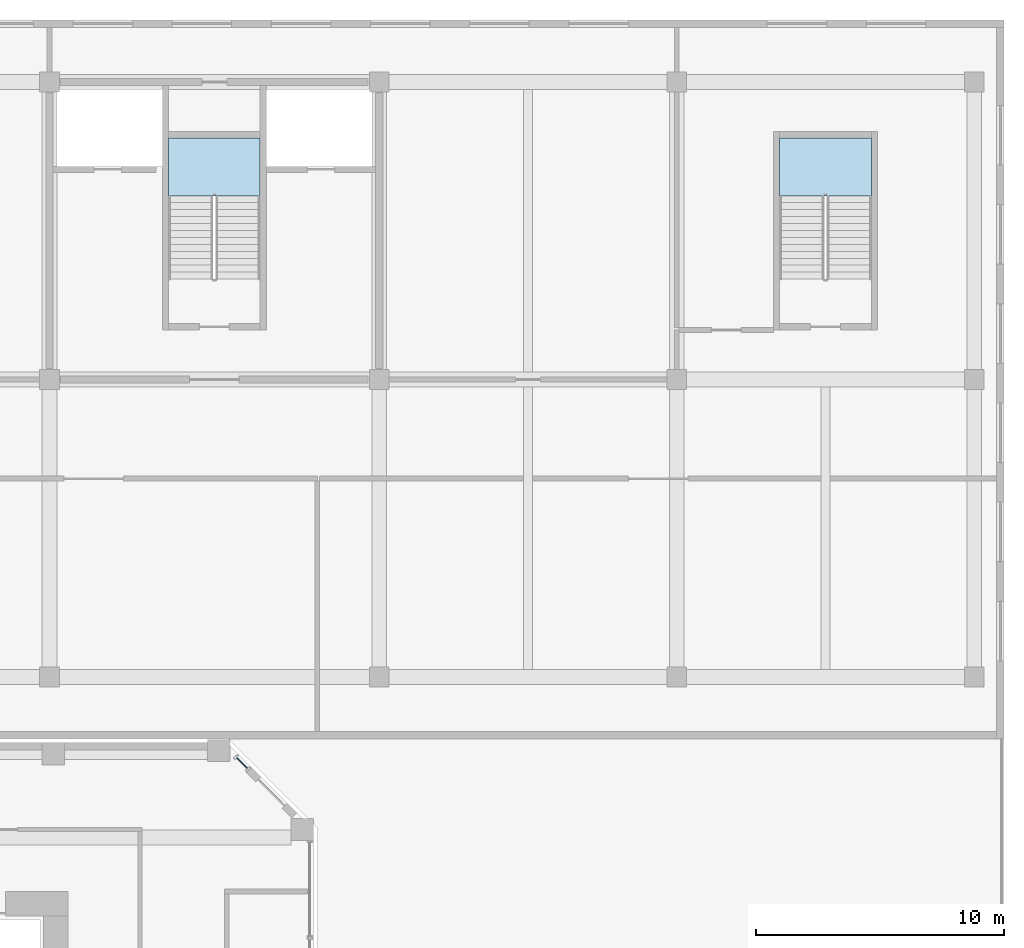
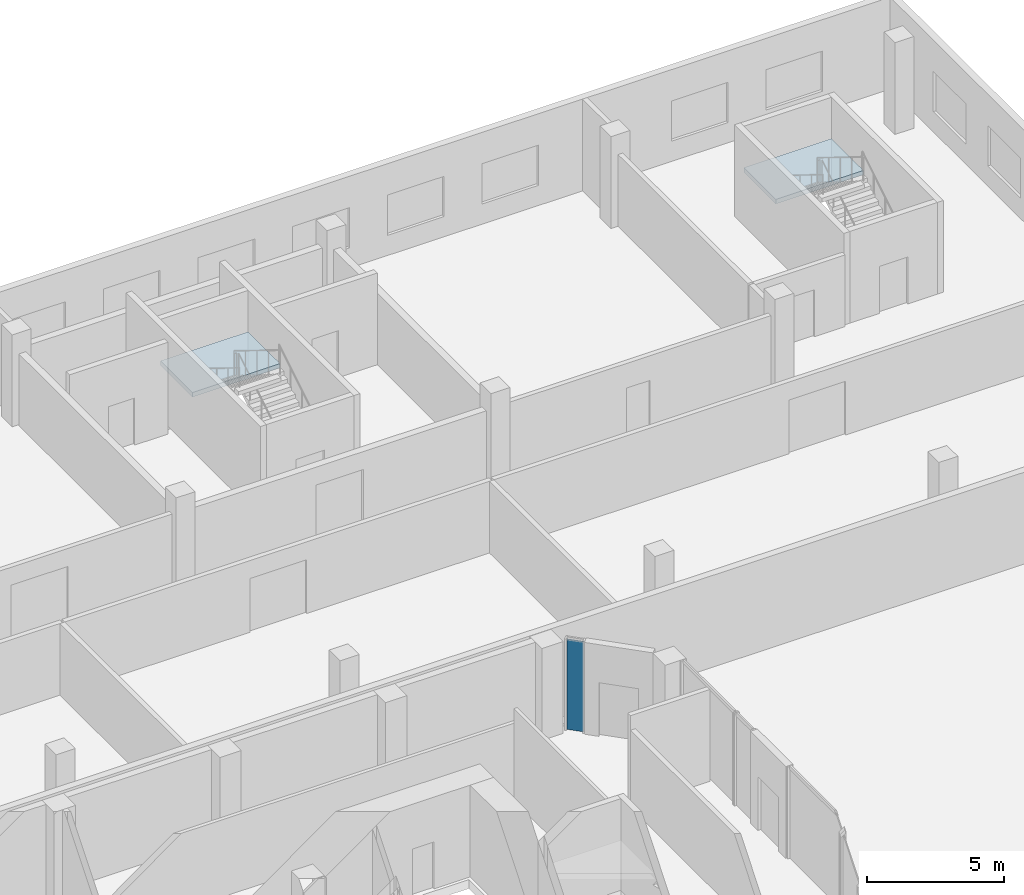
# One storey, part 16 of 38: 2 slabs, 1 plate, 3 elements without a shape of their own.
"""IFC4 building model written with IfcOpenShell, lengths in metres."""

from ifc_helpers import new_model, si_unit, direction, frame, origin, origin_2d, place, context, subcontext, project, spatial, polyline, rectangle, outline, extrude, source, transform, mapped, material, layer, layer_set, type_object, element, aggregate, save


model = new_model("IFC4")

# Units and contexts
model_context = context("Model", 3, precision=1e-05, world=origin(), true_north=direction((0.0, 1.0)))
body_context = subcontext(model_context, "Body", "Model", "MODEL_VIEW")
ifc_project = project(units=[si_unit("LENGTHUNIT", "METRE"), si_unit("AREAUNIT", "SQUARE_METRE"), si_unit("VOLUMEUNIT", "CUBIC_METRE"), si_unit("PLANEANGLEUNIT", "RADIAN"), si_unit("MASSUNIT", "GRAM", prefix="KILO")], contexts=[model_context])

# Site, building, storey
site_placement = place(None, origin())
site = spatial("IfcSite", under=ifc_project, at=site_placement, CompositionType="ELEMENT")
building_placement = place(site_placement, origin())
building = spatial("IfcBuilding", under=site, at=building_placement, Name="Kilnfold Tower and Market Hall", CompositionType="ELEMENT")
storey_placement = place(building_placement, frame((0.0, 0.0, 9.0)))
storey = spatial("IfcBuildingStorey", under=building, at=storey_placement, Name="L01", CompositionType="ELEMENT", Elevation=9.0)

# Curtain wall, plate
ifc_material_1 = material(Name="Aluminium and double glazing", Category="aluminium")
curtain_wall_type = type_object("IfcCurtainWallType", Name="CW BASE PODIUM GLAZING", PredefinedType="NOTDEFINED", material=ifc_material_1)
curtain_wall_placement = place(storey_placement, origin())
curtain_wall = element("IfcCurtainWall", 1, at=curtain_wall_placement, inside=storey, type_object=curtain_wall_type, Name="Curtain wall CW4 L01 NE", PredefinedType="NOTDEFINED")
ifc_material_2 = material(Name="Double glazed unit")
ifc_layer_1 = layer(ifc_material_2, 0.035888671875)
ifc_layer_set_1 = layer_set([ifc_layer_1], Name="Double glazed unit")
plate_type = type_object("IfcPlateType", Name="GLAZING PANEL 36", PredefinedType="CURTAIN_PANEL", material=ifc_layer_set_1)
shared_shape_1 = source(origin(), body_context, "Body", "SweptSolid", [
    extrude(rectangle(XDim=0.618896484375, YDim=0.035888671875, at=origin_2d()), origin(), (0.0, 0.0, 1.0), 4.030029296875),
])
plate_placement = place(storey_placement, frame((25.1123046875, 27.17578125, 0.0), z_axis=(0.0, 0.0, 1.0), x_axis=(-0.707106781187, 0.707106781187, 0.0)))
plate = element("IfcPlate", 2, at=plate_placement, type_object=plate_type, Name="CW4 panel 1.1", PredefinedType="CURTAIN_PANEL", context=body_context, shape_type="MappedRepresentation", body=[
    mapped(shared_shape_1, transform((0.0, 0.0, 0.0))),
])
aggregate(curtain_wall, [plate])

# Stair, slab
ifc_material_3 = material(Name="Concrete C40/50", Category="concrete")
stair_type = type_object("IfcStairType", Name="HALL STAIR", PredefinedType="HALF_TURN_STAIR", material=ifc_material_3)
stair_1_placement = place(storey_placement, origin())
stair_1 = element("IfcStair", 3, at=stair_1_placement, inside=storey, type_object=stair_type, Name="L01 MS5", PredefinedType="HALF_TURN_STAIR")
ifc_material_4 = material(Name="Concrete C40/50", Category="concrete")
ifc_layer_2 = layer(ifc_material_4, 0.199951171875)
ifc_layer_set_2 = layer_set([ifc_layer_2], Name="Concrete C40/50")
slab_type = type_object("IfcSlabType", Name="HALL STAIR LANDING", PredefinedType="LANDING", material=ifc_layer_set_2)
shared_shape_2 = source(origin(), body_context, "Body", "SweptSolid", [
    extrude(outline(polyline([(25.85009765625, 50.06005859375), (25.85009765625, 52.39990234375), (22.14990234375, 52.39990234375), (22.14990234375, 50.06005859375), (25.85009765625, 50.06005859375)])), origin(), (0.0, 0.0, 1.0), 0.199951171875),
])
slab_1_placement = place(storey_placement, frame((0.0, 0.0, 2.050048828125)))
slab_1 = element("IfcSlab", 4, at=slab_1_placement, type_object=slab_type, Name="MS5 landing 1", PredefinedType="LANDING", context=body_context, shape_type="MappedRepresentation", body=[
    mapped(shared_shape_2, transform((0.0, 0.0, 0.0))),
])
aggregate(stair_1, [slab_1])

stair_2_placement = place(storey_placement, origin())
stair_2 = element("IfcStair", 5, at=stair_2_placement, inside=storey, type_object=stair_type, Name="L01 MS6", PredefinedType="HALF_TURN_STAIR")
shared_shape_3 = source(origin(), body_context, "Body", "SweptSolid", [
    extrude(outline(polyline([(50.5, 50.06005859375), (50.5, 52.39990234375), (46.800048828125, 52.39990234375), (46.800048828125, 50.06005859375), (50.5, 50.06005859375)])), origin(), (0.0, 0.0, 1.0), 0.199951171875),
])
slab_2_placement = place(storey_placement, frame((0.0, 0.0, 2.050048828125)))
slab_2 = element("IfcSlab", 6, at=slab_2_placement, type_object=slab_type, Name="MS6 landing 1", PredefinedType="LANDING", context=body_context, shape_type="MappedRepresentation", body=[
    mapped(shared_shape_3, transform((0.0, 0.0, 0.0))),
])
aggregate(stair_2, [slab_2])

save(model, "model.ifc")
